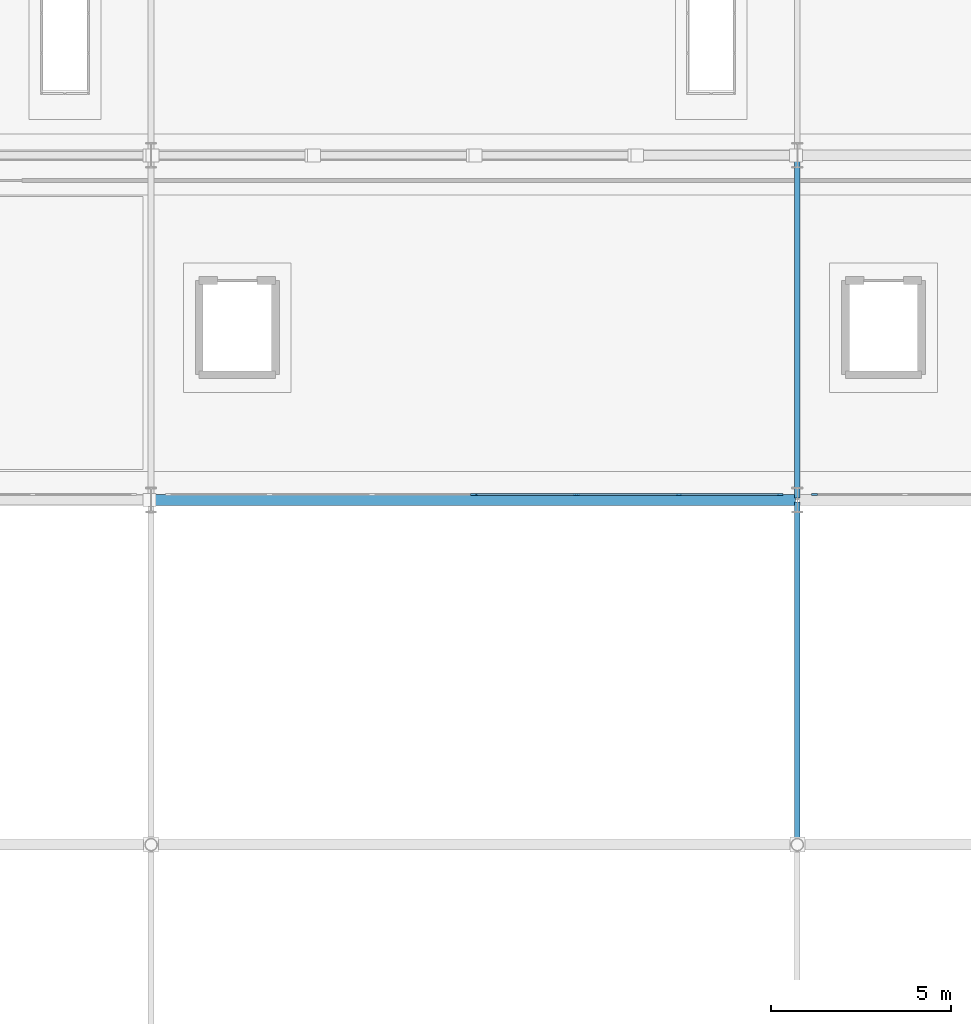
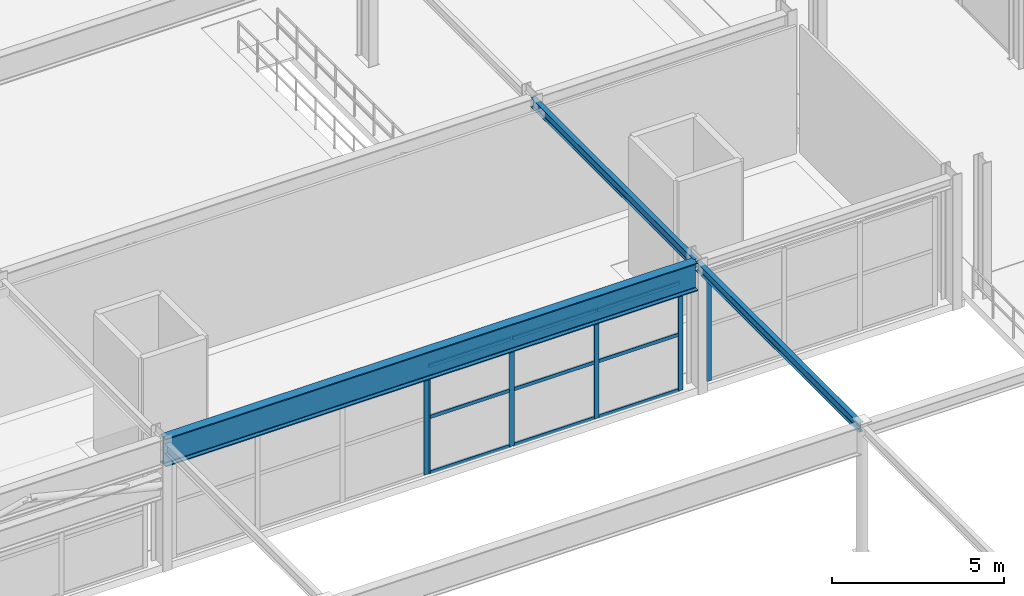
# One storey, part 28 of 125: 15 members, 3 beams, 3 elements without a shape of their own.
"""IFC4 building model written with IfcOpenShell, lengths in metres."""

import ifcopenshell
import ifcopenshell.guid

model = None  # the IFC model being written
_history = None  # IfcOwnerHistory: only IFC2X3 demands one
_inside = {}  # id of a spatial element -> (the spatial element, [elements in it])
_under = {}  # id of a project, library or spatial element -> (it, [spatial elements below it])
_declared = {}  # id of a project -> (the project, [libraries it declares])
_typed = {}  # id of a type object -> (the type object, [elements of that type])
_made_of = {}  # id of a material, layer set ... -> (it, [elements and type objects made of it])


def new_model(schema):
    """Start an empty IFC model of exactly this schema.

    Asked for "IFC4X3", IfcOpenShell would pick the latest addendum, in which some entities
    have other attributes; the version numbers below select the first issue.
    IFC2X3 requires an IfcOwnerHistory on every rooted entity: one is made here for all.
    """
    global model, _history
    if schema == "IFC4X3":
        model = ifcopenshell.file(schema_version=(4, 3, 0, 0))
    else:
        model = ifcopenshell.file(schema=schema)
    _inside.clear()
    _under.clear()
    _declared.clear()
    _typed.clear()
    _made_of.clear()
    _history = None
    if model.schema == "IFC2X3":
        org = make("IfcOrganization", Name="unknown")
        user = make(
            "IfcPersonAndOrganization",
            ThePerson=make("IfcPerson", FamilyName="unknown"),
            TheOrganization=org,
        )
        app = make(
            "IfcApplication",
            ApplicationDeveloper=org,
            Version="unknown",
            ApplicationFullName="unknown",
            ApplicationIdentifier="unknown",
        )
        _history = make(
            "IfcOwnerHistory",
            OwningUser=user,
            OwningApplication=app,
            ChangeAction="ADDED",
            CreationDate=0,
        )
    return model


def make(cls, **values):
    """One entity of the class cls with the attributes given. An attribute that is None is left unset."""
    return model.create_entity(
        cls, **{name: value for name, value in values.items() if value is not None}
    )


def rooted(cls, **values):
    """An entity with a GlobalId (a new one), such as an element, a storey or a relation."""
    return make(cls, GlobalId=ifcopenshell.guid.new(), OwnerHistory=_history, **values)


def si_unit(unit_type, name, prefix=None):
    """IfcSIUnit, for example si_unit("LENGTHUNIT", "METRE", prefix="MILLI")."""
    return make("IfcSIUnit", UnitType=unit_type, Prefix=prefix, Name=name)


def assignment(units):
    """IfcUnitAssignment: the units of a project."""
    return None if units is None else make("IfcUnitAssignment", Units=units)


def point(xyz):
    """IfcCartesianPoint."""
    return None if xyz is None else make("IfcCartesianPoint", Coordinates=xyz)


def direction(xyz):
    """IfcDirection."""
    return None if xyz is None else make("IfcDirection", DirectionRatios=xyz)


def frame(location, z_axis=None, x_axis=None):
    """IfcAxis2Placement3D, a coordinate frame: its origin and axes. An axis left out is left unset."""
    return make(
        "IfcAxis2Placement3D",
        Location=point(location),
        Axis=direction(z_axis),
        RefDirection=direction(x_axis),
    )


def frame_2d(location, x_axis=None):
    """IfcAxis2Placement2D, a coordinate frame in the plane: its origin and x axis."""
    return make(
        "IfcAxis2Placement2D", Location=point(location), RefDirection=direction(x_axis)
    )


def origin():
    """The frame at (0, 0, 0) with its axes left unset."""
    return frame((0.0, 0.0, 0.0))


def origin_2d():
    """The frame at (0, 0) in the plane with its x axis left unset."""
    return frame_2d((0.0, 0.0))


def place(relative_to, where):
    """IfcLocalPlacement: puts the frame where relative to a parent placement (None: the world)."""
    return make(
        "IfcLocalPlacement", PlacementRelTo=relative_to, RelativePlacement=where
    )


def context(
    kind, dimensions, precision=None, world=None, true_north=None, identifier=None
):
    """IfcGeometricRepresentationContext, for example the 3D "Model" context."""
    return make(
        "IfcGeometricRepresentationContext",
        ContextIdentifier=identifier,
        ContextType=kind,
        CoordinateSpaceDimension=dimensions,
        Precision=precision,
        WorldCoordinateSystem=world,
        TrueNorth=true_north,
    )


def subcontext(parent, identifier, kind, view, scale=None):
    """IfcGeometricRepresentationSubContext, for example "Body" below "Model"."""
    return make(
        "IfcGeometricRepresentationSubContext",
        ContextIdentifier=identifier,
        ContextType=kind,
        ParentContext=parent,
        TargetScale=scale,
        TargetView=view,
    )


def project(units=None, contexts=None):
    """IfcProject with its units and contexts."""
    return rooted(
        "IfcProject",
        Name="project",
        RepresentationContexts=contexts,
        UnitsInContext=assignment(units),
    )


def spatial(cls, under=None, at=None, **own):
    """A site, building, storey or space (cls), placed at a placement, below another one or the project."""
    s = rooted(cls, ObjectPlacement=at, **own)
    if under is not None:
        _under.setdefault(under.id(), (under, []))[1].append(s)
    return s


def profile(cls, at=None, kind="AREA", **sizes):
    """A parametric profile (cls). Its sizes go by their IFC names, for example OverallWidth=200.0."""
    return make(cls, ProfileType=kind, Position=at, **sizes)


def rectangle(**sizes):
    """IfcRectangleProfileDef."""
    return profile("IfcRectangleProfileDef", **sizes)


def i_section(**sizes):
    """IfcIShapeProfileDef."""
    return profile("IfcIShapeProfileDef", **sizes)


def extrude(swept, where, along, depth):
    """IfcExtrudedAreaSolid: the profile swept, set in the frame where, extruded along a direction by depth."""
    return make(
        "IfcExtrudedAreaSolid",
        SweptArea=swept,
        Position=where,
        ExtrudedDirection=direction(along),
        Depth=depth,
    )


def shape(context_of_items, identifier, shape_type, items):
    """IfcShapeRepresentation: the items that make up one representation, for example the "Body"."""
    return make(
        "IfcShapeRepresentation",
        ContextOfItems=context_of_items,
        RepresentationIdentifier=identifier,
        RepresentationType=shape_type,
        Items=items,
    )


def material(Name=None, Category=None):
    """IfcMaterial."""
    return make("IfcMaterial", Name=Name, Category=Category)


def layer(
    of_material, thickness, ventilated=None, Name=None, Category=None, Priority=None
):
    """IfcMaterialLayer: one layer of a wall or slab, of a material (None: an air gap)."""
    return make(
        "IfcMaterialLayer",
        Material=of_material,
        LayerThickness=thickness,
        IsVentilated=ventilated,
        Name=Name,
        Category=Category,
        Priority=Priority,
    )


def layer_set(layers, Name=None):
    """IfcMaterialLayerSet."""
    return make("IfcMaterialLayerSet", MaterialLayers=layers, LayerSetName=Name)


def material_profile(
    of_material, cross_section, Name=None, Category=None, Priority=None
):
    """IfcMaterialProfile: a cross section and its material."""
    return make(
        "IfcMaterialProfile",
        Name=Name,
        Material=of_material,
        Profile=cross_section,
        Priority=Priority,
        Category=Category,
    )


def profile_set(profiles, Name=None, composite=None):
    """IfcMaterialProfileSet."""
    return make(
        "IfcMaterialProfileSet",
        Name=Name,
        MaterialProfiles=profiles,
        CompositeProfile=composite,
    )


def made_of(thing, what):
    """Note that an element or type object is made of a material, layer set ...; save() writes the relation."""
    if what is not None:
        _made_of.setdefault(what.id(), (what, []))[1].append(thing)
    return thing


def type_object(cls, material=None, **own):
    """A type object (cls), such as IfcWallType, which elements share."""
    return made_of(rooted(cls, **own), material)


def element(
    cls,
    number,
    at=None,
    inside=None,
    cuts=None,
    type_object=None,
    material=None,
    context=None,
    identifier="Body",
    shape_type=None,
    held_by="IfcProductDefinitionShape",
    body=None,
    shapes=None,
    **own,
):
    """One element of the class cls, such as IfcWall. Its Tag is "e" and its number.

    at: its placement. inside: the storey or other place that contains it. cuts: it is an
    opening in that element (IfcRelVoidsElement). A single representation is given by context,
    identifier, shape_type and body (its items); several are given by shapes. held_by: the class
    of the entity that holds the representations. save() writes the other relations.
    """
    e = rooted(cls, Tag="e%d" % number, ObjectPlacement=at, **own)
    if body is not None:
        shapes = [shape(context, identifier, shape_type, body)]
    if shapes is not None:
        e.Representation = make(held_by, Representations=shapes)
    if inside is not None:
        _inside.setdefault(inside.id(), (inside, []))[1].append(e)
    if cuts is not None:
        rooted(
            "IfcRelVoidsElement", RelatingBuildingElement=cuts, RelatedOpeningElement=e
        )
    if type_object is not None:
        _typed.setdefault(type_object.id(), (type_object, []))[1].append(e)
    return made_of(e, material)


def aggregate(whole, parts):
    """IfcRelAggregates: a whole, such as a stair, and the parts it consists of."""
    return rooted("IfcRelAggregates", RelatingObject=whole, RelatedObjects=parts)


def save(model, path):
    """Write the relations noted so far, then the file.

    IfcRelAggregates (storeys below a building ...), IfcRelContainedInSpatialStructure (elements
    in a storey), IfcRelDefinesByType, IfcRelAssociatesMaterial and IfcRelDeclares: one each for
    every whole, place, type object, material and project.
    """
    for whole, parts in _under.values():
        aggregate(whole, parts)
    for where, things in _inside.values():
        rooted(
            "IfcRelContainedInSpatialStructure",
            RelatedElements=things,
            RelatingStructure=where,
        )
    for kind, things in _typed.values():
        rooted("IfcRelDefinesByType", RelatedObjects=things, RelatingType=kind)
    for what, things in _made_of.values():
        rooted("IfcRelAssociatesMaterial", RelatedObjects=things, RelatingMaterial=what)
    for by, libraries in _declared.values():
        rooted("IfcRelDeclares", RelatingContext=by, RelatedDefinitions=libraries)
    model.write(path)


model = new_model("IFC4")

# Units and contexts
model_context = context("Model", 3, precision=1e-05, world=origin(), true_north=direction((0.0, 1.0)))
body_context = subcontext(model_context, "Body", "Model", "MODEL_VIEW")
ifc_project = project(units=[si_unit("LENGTHUNIT", "METRE"), si_unit("AREAUNIT", "SQUARE_METRE"), si_unit("VOLUMEUNIT", "CUBIC_METRE"), si_unit("PLANEANGLEUNIT", "RADIAN"), si_unit("MASSUNIT", "GRAM", prefix="KILO")], contexts=[model_context])

# Site, building, storey
site_placement = place(None, origin())
site = spatial("IfcSite", under=ifc_project, at=site_placement, CompositionType="ELEMENT")
building_placement = place(site_placement, origin())
building = spatial("IfcBuilding", under=site, at=building_placement, Name="Myrtia Square Station", CompositionType="ELEMENT")
storey_placement = place(building_placement, frame((0.0, 0.0, 6.0)))
storey = spatial("IfcBuildingStorey", under=building, at=storey_placement, Name="L01", CompositionType="ELEMENT", Elevation=6.0)

# Beams
ifc_material_1 = material(Name="Steel S355", Category="steel")
ifc_material_profile_1 = material_profile(ifc_material_1, i_section(OverallWidth=0.159912109375, OverallDepth=0.330078125, WebThickness=0.007568359375, FlangeThickness=0.011474609375, FilletRadius=0.01806640625, at=origin_2d()), Name="IPE 330")
ifc_profile_set_1 = profile_set([ifc_material_profile_1], Name="Steel S355")
beam_type_1 = type_object("IfcBeamType", Name="BM-IPE330", PredefinedType="BEAM", material=ifc_profile_set_1)
for number, where, z_axis, x_axis, name in (
    (1, (63.0, 28.85009765625, 4.389892578125), (0.0, 1.0, 0.0), (-1.0, 0.0, 0.0), "Structural girder BMY-L01-0524"),
    (2, (63.0, 38.449951171875, 4.389892578125), (0.0, 1.0, 0.0), (-1.0, 0.0, 0.0), "Structural girder BMY-L01-0525"),
):
    element("IfcBeam", number, at=place(storey_placement, frame(where, z_axis=z_axis, x_axis=x_axis)), inside=storey, type_object=beam_type_1, Name=name, PredefinedType="BEAM", context=body_context, shape_type="SweptSolid", body=[
        extrude(i_section(OverallWidth=0.159912109375, OverallDepth=0.330078125, WebThickness=0.007568359375, FlangeThickness=0.011474609375, FilletRadius=0.01806640625, at=origin_2d()), origin(), (0.0, 0.0, 1.0), 9.5),
    ])

# Curtain wall, member
ifc_material_2 = material(Name="Dark bronze anodised aluminium", Category="aluminium")
ifc_layer_1 = layer(ifc_material_2, 0.159912109375, Name="Dark bronze anodised aluminium")
ifc_layer_set_1 = layer_set([ifc_layer_1], Name="Dark bronze anodised aluminium")
curtain_wall_type_1 = type_object("IfcCurtainWallType", Name="CW-TYPE-18-855x385", PredefinedType="USERDEFINED", material=ifc_layer_set_1)
curtain_wall_1_placement = place(storey_placement, origin())
curtain_wall_1 = element("IfcCurtainWall", 3, at=curtain_wall_1_placement, inside=storey, type_object=curtain_wall_type_1, Name="Concourse curtain wall CW-L01-067", ObjectType="CONCOURSE CURTAIN WALL", PredefinedType="USERDEFINED")
ifc_material_profile_2 = material_profile(ifc_material_2, rectangle(XDim=0.06005859375, YDim=0.159912109375, at=origin_2d()), Name="ALU-M 60x160")
ifc_profile_set_2 = profile_set([ifc_material_profile_2], Name="Dark bronze anodised aluminium")
member_type_1 = type_object("IfcMemberType", Name="CWM-60x160", PredefinedType="MULLION", material=ifc_profile_set_2)
member_1_placement = place(storey_placement, frame((53.969970703125, 38.550048828125, 0.0), z_axis=(0.0, 0.0, 1.0), x_axis=(0.0, 1.0, 0.0)))
member_1 = element("IfcMember", 4, at=member_1_placement, type_object=member_type_1, Name="CW-067 mullion 4", PredefinedType="MULLION", context=body_context, shape_type="SweptSolid", body=[
    extrude(rectangle(XDim=0.06005859375, YDim=0.159912109375, at=origin_2d()), origin(), (0.0, 0.0, 1.0), 3.85009765625),
])
aggregate(curtain_wall_1, [member_1])

# Curtain wall, members
curtain_wall_2_placement = place(storey_placement, origin())
curtain_wall_2 = element("IfcCurtainWall", 5, at=curtain_wall_2_placement, inside=storey, type_object=curtain_wall_type_1, Name="Concourse curtain wall CW-L01-069", ObjectType="CONCOURSE CURTAIN WALL", PredefinedType="USERDEFINED")
member_2_placement = place(storey_placement, frame((54.030029296875, 38.550048828125, 0.0), z_axis=(0.0, 0.0, 1.0), x_axis=(0.0, 1.0, 0.0)))
member_2 = element("IfcMember", 6, at=member_2_placement, type_object=member_type_1, Name="CW-069 mullion 1", PredefinedType="MULLION", context=body_context, shape_type="SweptSolid", body=[
    extrude(rectangle(XDim=0.06005859375, YDim=0.159912109375, at=origin_2d()), origin(), (0.0, 0.0, 1.0), 3.85009765625),
])
member_3_placement = place(storey_placement, frame((56.85009765625, 38.550048828125, 0.0), z_axis=(0.0, 0.0, 1.0), x_axis=(0.0, 1.0, 0.0)))
member_3 = element("IfcMember", 7, at=member_3_placement, type_object=member_type_1, Name="CW-069 mullion 2", PredefinedType="MULLION", context=body_context, shape_type="SweptSolid", body=[
    extrude(rectangle(XDim=0.06005859375, YDim=0.159912109375, at=origin_2d()), origin(), (0.0, 0.0, 1.0), 3.85009765625),
])
member_4_placement = place(storey_placement, frame((59.699951171875, 38.550048828125, 0.0), z_axis=(0.0, 0.0, 1.0), x_axis=(0.0, 1.0, 0.0)))
member_4 = element("IfcMember", 8, at=member_4_placement, type_object=member_type_1, Name="CW-069 mullion 3", PredefinedType="MULLION", context=body_context, shape_type="SweptSolid", body=[
    extrude(rectangle(XDim=0.06005859375, YDim=0.159912109375, at=origin_2d()), origin(), (0.0, 0.0, 1.0), 3.85009765625),
])
member_5_placement = place(storey_placement, frame((62.52001953125, 38.550048828125, 0.0), z_axis=(0.0, 0.0, 1.0), x_axis=(0.0, 1.0, 0.0)))
member_5 = element("IfcMember", 9, at=member_5_placement, type_object=member_type_1, Name="CW-069 mullion 4", PredefinedType="MULLION", context=body_context, shape_type="SweptSolid", body=[
    extrude(rectangle(XDim=0.06005859375, YDim=0.159912109375, at=origin_2d()), origin(), (0.0, 0.0, 1.0), 3.85009765625),
])

# Curtain wall, member
ifc_layer_2 = layer(ifc_material_2, 0.159912109375, Name="Dark bronze anodised aluminium")
ifc_layer_set_2 = layer_set([ifc_layer_2], Name="Dark bronze anodised aluminium")
curtain_wall_type_2 = type_object("IfcCurtainWallType", Name="CW-TYPE-20-765x385", PredefinedType="USERDEFINED", material=ifc_layer_set_2)
curtain_wall_3_placement = place(storey_placement, origin())
curtain_wall_3 = element("IfcCurtainWall", 10, at=curtain_wall_3_placement, inside=storey, type_object=curtain_wall_type_2, Name="Concourse curtain wall CW-L01-071", ObjectType="CONCOURSE CURTAIN WALL", PredefinedType="USERDEFINED")
member_6_placement = place(storey_placement, frame((63.47998046875, 38.550048828125, 0.0), z_axis=(0.0, 0.0, 1.0), x_axis=(0.0, 1.0, 0.0)))
member_6 = element("IfcMember", 11, at=member_6_placement, type_object=member_type_1, Name="CW-071 mullion 1", PredefinedType="MULLION", context=body_context, shape_type="SweptSolid", body=[
    extrude(rectangle(XDim=0.06005859375, YDim=0.159912109375, at=origin_2d()), origin(), (0.0, 0.0, 1.0), 3.85009765625),
])
aggregate(curtain_wall_3, [member_6])

# Member
ifc_material_profile_3 = material_profile(ifc_material_2, rectangle(XDim=0.06005859375, YDim=0.1201171875, at=origin_2d()), Name="ALU-T 60x120")
ifc_profile_set_3 = profile_set([ifc_material_profile_3], Name="Dark bronze anodised aluminium")
member_type_2 = type_object("IfcMemberType", Name="CWT-60x120", PredefinedType="USERDEFINED", material=ifc_profile_set_3)
member_7_placement = place(storey_placement, frame((54.06005859375, 38.550048828125, 0.030029296875), z_axis=(1.0, 0.0, 0.0), x_axis=(0.0, 1.0, 0.0)))
member_7 = element("IfcMember", 12, at=member_7_placement, type_object=member_type_2, Name="CW-069 transom 1.1", ObjectType="TRANSOM", PredefinedType="USERDEFINED", context=body_context, shape_type="SweptSolid", body=[
    extrude(rectangle(XDim=0.06005859375, YDim=0.1201171875, at=origin_2d()), origin(), (0.0, 0.0, 1.0), 2.760009765625),
])

member_8_placement = place(storey_placement, frame((54.06005859375, 38.550048828125, 2.001953125), z_axis=(1.0, 0.0, 0.0), x_axis=(0.0, 1.0, 0.0)))
member_8 = element("IfcMember", 13, at=member_8_placement, type_object=member_type_2, Name="CW-069 transom 1.2", ObjectType="TRANSOM", PredefinedType="USERDEFINED", context=body_context, shape_type="SweptSolid", body=[
    extrude(rectangle(XDim=0.06005859375, YDim=0.1201171875, at=origin_2d()), origin(), (0.0, 0.0, 1.0), 2.760009765625),
])

member_9_placement = place(storey_placement, frame((54.06005859375, 38.550048828125, 3.820068359375), z_axis=(1.0, 0.0, 0.0), x_axis=(0.0, 1.0, 0.0)))
member_9 = element("IfcMember", 14, at=member_9_placement, type_object=member_type_2, Name="CW-069 transom 1.3", ObjectType="TRANSOM", PredefinedType="USERDEFINED", context=body_context, shape_type="SweptSolid", body=[
    extrude(rectangle(XDim=0.06005859375, YDim=0.1201171875, at=origin_2d()), origin(), (0.0, 0.0, 1.0), 2.760009765625),
])

member_10_placement = place(storey_placement, frame((56.8798828125, 38.550048828125, 0.030029296875), z_axis=(1.0, 0.0, 0.0), x_axis=(0.0, 1.0, 0.0)))
member_10 = element("IfcMember", 15, at=member_10_placement, type_object=member_type_2, Name="CW-069 transom 2.1", ObjectType="TRANSOM", PredefinedType="USERDEFINED", context=body_context, shape_type="SweptSolid", body=[
    extrude(rectangle(XDim=0.06005859375, YDim=0.1201171875, at=origin_2d()), origin(), (0.0, 0.0, 1.0), 2.7900390625),
])

member_11_placement = place(storey_placement, frame((56.8798828125, 38.550048828125, 2.001953125), z_axis=(1.0, 0.0, 0.0), x_axis=(0.0, 1.0, 0.0)))
member_11 = element("IfcMember", 16, at=member_11_placement, type_object=member_type_2, Name="CW-069 transom 2.2", ObjectType="TRANSOM", PredefinedType="USERDEFINED", context=body_context, shape_type="SweptSolid", body=[
    extrude(rectangle(XDim=0.06005859375, YDim=0.1201171875, at=origin_2d()), origin(), (0.0, 0.0, 1.0), 2.7900390625),
])

member_12_placement = place(storey_placement, frame((56.8798828125, 38.550048828125, 3.820068359375), z_axis=(1.0, 0.0, 0.0), x_axis=(0.0, 1.0, 0.0)))
member_12 = element("IfcMember", 17, at=member_12_placement, type_object=member_type_2, Name="CW-069 transom 2.3", ObjectType="TRANSOM", PredefinedType="USERDEFINED", context=body_context, shape_type="SweptSolid", body=[
    extrude(rectangle(XDim=0.06005859375, YDim=0.1201171875, at=origin_2d()), origin(), (0.0, 0.0, 1.0), 2.7900390625),
])

member_13_placement = place(storey_placement, frame((59.72998046875, 38.550048828125, 0.030029296875), z_axis=(1.0, 0.0, 0.0), x_axis=(0.0, 1.0, 0.0)))
member_13 = element("IfcMember", 18, at=member_13_placement, type_object=member_type_2, Name="CW-069 transom 3.1", ObjectType="TRANSOM", PredefinedType="USERDEFINED", context=body_context, shape_type="SweptSolid", body=[
    extrude(rectangle(XDim=0.06005859375, YDim=0.1201171875, at=origin_2d()), origin(), (0.0, 0.0, 1.0), 2.760009765625),
])

member_14_placement = place(storey_placement, frame((59.72998046875, 38.550048828125, 2.001953125), z_axis=(1.0, 0.0, 0.0), x_axis=(0.0, 1.0, 0.0)))
member_14 = element("IfcMember", 19, at=member_14_placement, type_object=member_type_2, Name="CW-069 transom 3.2", ObjectType="TRANSOM", PredefinedType="USERDEFINED", context=body_context, shape_type="SweptSolid", body=[
    extrude(rectangle(XDim=0.06005859375, YDim=0.1201171875, at=origin_2d()), origin(), (0.0, 0.0, 1.0), 2.760009765625),
])

member_15_placement = place(storey_placement, frame((59.72998046875, 38.550048828125, 3.820068359375), z_axis=(1.0, 0.0, 0.0), x_axis=(0.0, 1.0, 0.0)))
member_15 = element("IfcMember", 20, at=member_15_placement, type_object=member_type_2, Name="CW-069 transom 3.3", ObjectType="TRANSOM", PredefinedType="USERDEFINED", context=body_context, shape_type="SweptSolid", body=[
    extrude(rectangle(XDim=0.06005859375, YDim=0.1201171875, at=origin_2d()), origin(), (0.0, 0.0, 1.0), 2.760009765625),
])

aggregate(curtain_wall_2, [member_2, member_3, member_4, member_5, member_7, member_8, member_9, member_10, member_11, member_12, member_13, member_14, member_15])

# Beam
ifc_material_profile_4 = material_profile(ifc_material_1, i_section(OverallWidth=0.300048828125, OverallDepth=1.0, WebThickness=0.01904296875, FlangeThickness=0.035888671875, FilletRadius=0.030029296875, at=origin_2d()), Name="HEB 1000")
ifc_profile_set_4 = profile_set([ifc_material_profile_4], Name="Steel S355")
beam_type_2 = type_object("IfcBeamType", Name="TG-HEB1000", PredefinedType="USERDEFINED", material=ifc_profile_set_4)
beam_placement = place(storey_placement, frame((45.050048828125, 38.39990234375, 4.054931640625), z_axis=(1.0, 0.0, 0.0), x_axis=(0.0, 1.0, 0.0)))
element("IfcBeam", 21, at=beam_placement, inside=storey, type_object=beam_type_2, Name="Structural girder TG-L01-0111", ObjectType="TRANSFER GIRDER", PredefinedType="USERDEFINED", context=body_context, shape_type="SweptSolid", body=[
    extrude(i_section(OverallWidth=0.300048828125, OverallDepth=1.0, WebThickness=0.01904296875, FlangeThickness=0.035888671875, FilletRadius=0.030029296875, at=origin_2d()), origin(), (0.0, 0.0, 1.0), 17.89990234375),
])

save(model, "model.ifc")
